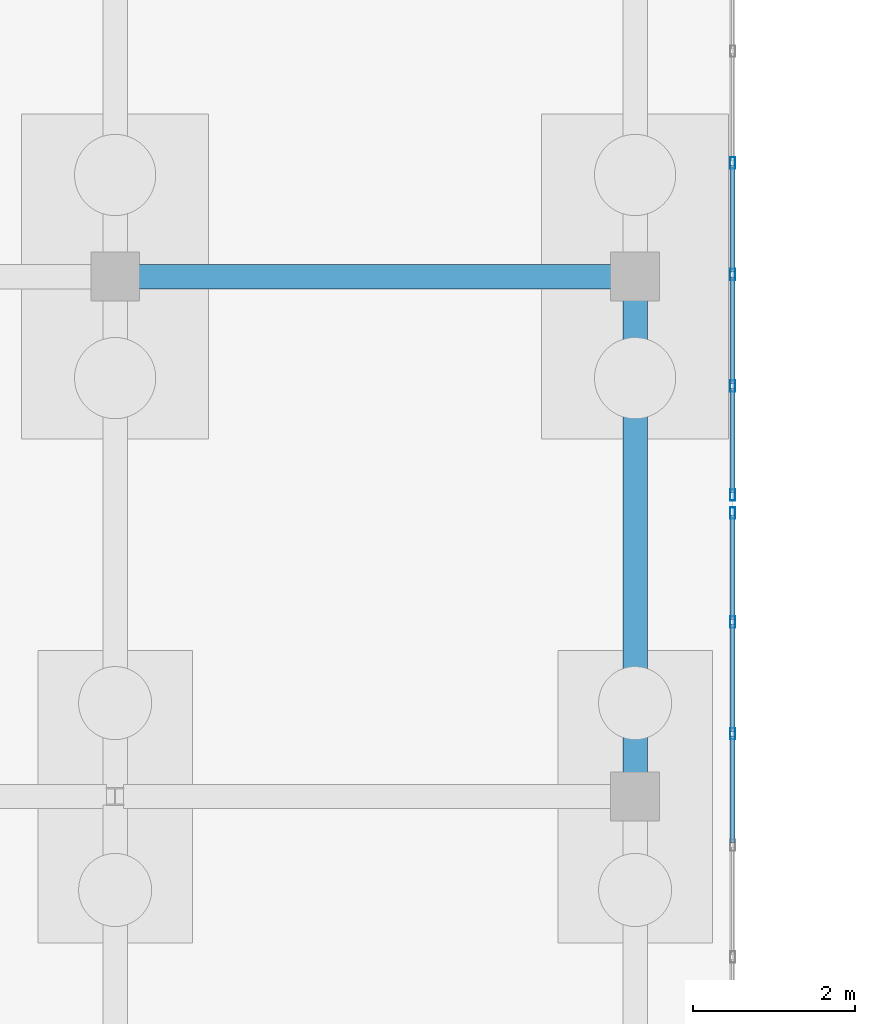
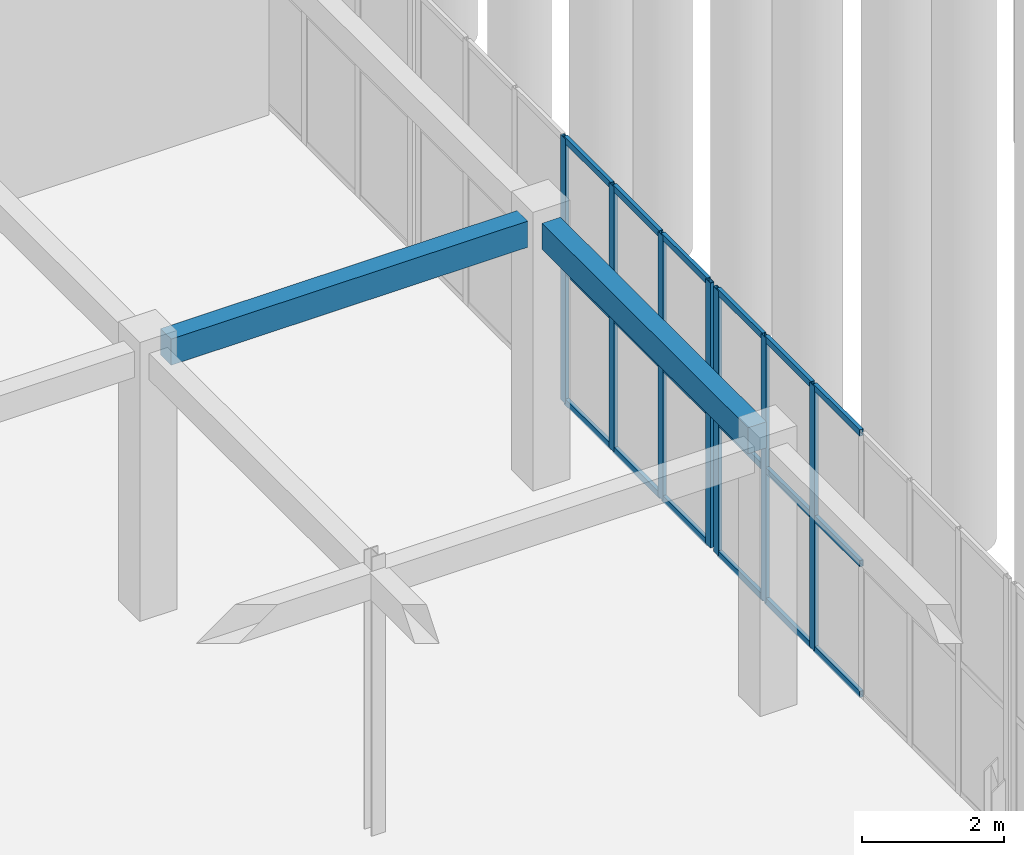
# One storey, part 74 of 192: 25 members, 2 beams, 2 elements without a shape of their own.
"""IFC4 building model written with IfcOpenShell, lengths in metres."""

from ifc_helpers import new_model, si_unit, direction, frame, origin, origin_2d, place, context, subcontext, project, spatial, rectangle, hollow_rectangle, extrude, material, layer, layer_set, material_profile, profile_set, type_object, element, aggregate, save


model = new_model("IFC4")

# Units and contexts
model_context = context("Model", 3, precision=1e-05, world=origin(), true_north=direction((0.0, 1.0)))
body_context = subcontext(model_context, "Body", "Model", "MODEL_VIEW")
ifc_project = project(units=[si_unit("LENGTHUNIT", "METRE"), si_unit("AREAUNIT", "SQUARE_METRE"), si_unit("VOLUMEUNIT", "CUBIC_METRE"), si_unit("PLANEANGLEUNIT", "RADIAN"), si_unit("MASSUNIT", "GRAM", prefix="KILO")], contexts=[model_context])

# Site, building, storey
site_placement = place(None, origin())
site = spatial("IfcSite", under=ifc_project, at=site_placement, CompositionType="ELEMENT")
building_placement = place(site_placement, origin())
building = spatial("IfcBuilding", under=site, at=building_placement, Name="Trelvath General Hospital", CompositionType="ELEMENT")
storey_placement = place(building_placement, origin())
storey = spatial("IfcBuildingStorey", under=building, at=storey_placement, Name="L00", CompositionType="ELEMENT", Elevation=0.0)

# Beams
ifc_material_1 = material(Name="Concrete C35/45", Category="concrete")
ifc_material_profile_1 = material_profile(ifc_material_1, rectangle(XDim=0.300048828125, YDim=0.449951171875, at=origin_2d()), Name="RCB300x450")
ifc_profile_set_1 = profile_set([ifc_material_profile_1], Name="Concrete C35/45")
beam_type = type_object("IfcBeamType", Name="Beam RC300x450", PredefinedType="BEAM", material=ifc_profile_set_1)
beam_1_placement = place(storey_placement, frame((113.89599609375, 44.800048828125, 4.3349609375), z_axis=(1.0, 0.0, 0.0), x_axis=(0.0, 1.0, 0.0)))
element("IfcBeam", 1, at=beam_1_placement, inside=storey, type_object=beam_type, Name="Cube Interior Ring Beam CUBE-E-T0 L00", PredefinedType="BEAM", context=body_context, shape_type="SweptSolid", body=[
    extrude(rectangle(XDim=0.300048828125, YDim=0.449951171875, at=origin_2d()), origin(), (0.0, 0.0, 1.0), 5.80810546875),
])
beam_2_placement = place(storey_placement, frame((120.0, 38.696044921875, 4.3349609375), z_axis=(0.0, 1.0, 0.0), x_axis=(-1.0, 0.0, 0.0)))
element("IfcBeam", 2, at=beam_2_placement, inside=storey, type_object=beam_type, Name="Cube Interior Ring Beam CUBE-E-T0 L00", PredefinedType="BEAM", context=body_context, shape_type="SweptSolid", body=[
    extrude(rectangle(XDim=0.300048828125, YDim=0.449951171875, at=origin_2d()), origin(), (0.0, 0.0, 1.0), 5.807861328125),
])

# Curtain wall, members
ifc_material_2 = material(Name="Anodised aluminium and low-E glass", Category="aluminium")
ifc_layer = layer(ifc_material_2, 0.139892578125)
ifc_layer_set = layer_set([ifc_layer], Name="Anodised aluminium and low-E glass")
curtain_wall_type = type_object("IfcCurtainWallType", Name="CW CrystalCube 824 456 14", PredefinedType="USERDEFINED", material=ifc_layer_set)
curtain_wall_1_placement = place(storey_placement, origin())
curtain_wall_1 = element("IfcCurtainWall", 3, at=curtain_wall_1_placement, inside=storey, type_object=curtain_wall_type, Name="Crystal Cube Curtain Wall CUBE-E-T0 E2 L00", ObjectType="Unitised Glazed Curtain Wall", PredefinedType="USERDEFINED")
ifc_material_3 = material(Name="Anodised aluminium", Category="aluminium")
ifc_material_profile_2 = material_profile(ifc_material_3, hollow_rectangle(XDim=0.06005859375, YDim=0.139892578125, WallThickness=0.00390625, at=origin_2d()), Name="RHS60x140x4")
ifc_profile_set_2 = profile_set([ifc_material_profile_2], Name="Anodised aluminium")
member_type_1 = type_object("IfcMemberType", Name="CurtainMullion 60x140", PredefinedType="MULLION", material=ifc_profile_set_2)
member_1_placement = place(storey_placement, frame((121.199951171875, 41.889892578125, 0.0), z_axis=(0.0, 0.0, 1.0), x_axis=(1.0, 0.0, 0.0)))
member_1 = element("IfcMember", 4, at=member_1_placement, type_object=member_type_1, Name="CW-118 mullion 1", PredefinedType="MULLION", context=body_context, shape_type="SweptSolid", body=[
    extrude(hollow_rectangle(XDim=0.06005859375, YDim=0.139892578125, WallThickness=0.00390625, at=origin_2d()), origin(), (0.0, 0.0, 1.0), 4.56005859375),
])
member_2_placement = place(storey_placement, frame((121.199951171875, 40.546630859375, 0.0), z_axis=(0.0, 0.0, 1.0), x_axis=(1.0, 0.0, 0.0)))
member_2 = element("IfcMember", 5, at=member_2_placement, type_object=member_type_1, Name="CW-118 mullion 2", PredefinedType="MULLION", context=body_context, shape_type="SweptSolid", body=[
    extrude(hollow_rectangle(XDim=0.06005859375, YDim=0.139892578125, WallThickness=0.00390625, at=origin_2d()), origin(), (0.0, 0.0, 1.0), 4.56005859375),
])
member_3_placement = place(storey_placement, frame((121.199951171875, 39.17333984375, 0.0), z_axis=(0.0, 0.0, 1.0), x_axis=(1.0, 0.0, 0.0)))
member_3 = element("IfcMember", 6, at=member_3_placement, type_object=member_type_1, Name="CW-118 mullion 3", PredefinedType="MULLION", context=body_context, shape_type="SweptSolid", body=[
    extrude(hollow_rectangle(XDim=0.06005859375, YDim=0.139892578125, WallThickness=0.00390625, at=origin_2d()), origin(), (0.0, 0.0, 1.0), 4.56005859375),
])

curtain_wall_2_placement = place(storey_placement, origin())
curtain_wall_2 = element("IfcCurtainWall", 7, at=curtain_wall_2_placement, inside=storey, type_object=curtain_wall_type, Name="Crystal Cube Curtain Wall CUBE-E-T0 E3 L00", ObjectType="Unitised Glazed Curtain Wall", PredefinedType="USERDEFINED")
member_4_placement = place(storey_placement, frame((121.199951171875, 46.199951171875, 0.0), z_axis=(0.0, 0.0, 1.0), x_axis=(1.0, 0.0, 0.0)))
member_4 = element("IfcMember", 8, at=member_4_placement, type_object=member_type_1, Name="CW-120 mullion 4", PredefinedType="MULLION", context=body_context, shape_type="SweptSolid", body=[
    extrude(hollow_rectangle(XDim=0.06005859375, YDim=0.139892578125, WallThickness=0.00390625, at=origin_2d()), origin(), (0.0, 0.0, 1.0), 4.56005859375),
])
member_5_placement = place(storey_placement, frame((121.199951171875, 44.82666015625, 0.0), z_axis=(0.0, 0.0, 1.0), x_axis=(1.0, 0.0, 0.0)))
member_5 = element("IfcMember", 9, at=member_5_placement, type_object=member_type_1, Name="CW-120 mullion 5", PredefinedType="MULLION", context=body_context, shape_type="SweptSolid", body=[
    extrude(hollow_rectangle(XDim=0.06005859375, YDim=0.139892578125, WallThickness=0.00390625, at=origin_2d()), origin(), (0.0, 0.0, 1.0), 4.56005859375),
])
member_6_placement = place(storey_placement, frame((121.199951171875, 43.453369140625, 0.0), z_axis=(0.0, 0.0, 1.0), x_axis=(1.0, 0.0, 0.0)))
member_6 = element("IfcMember", 10, at=member_6_placement, type_object=member_type_1, Name="CW-120 mullion 6", PredefinedType="MULLION", context=body_context, shape_type="SweptSolid", body=[
    extrude(hollow_rectangle(XDim=0.06005859375, YDim=0.139892578125, WallThickness=0.00390625, at=origin_2d()), origin(), (0.0, 0.0, 1.0), 4.56005859375),
])
member_7_placement = place(storey_placement, frame((121.199951171875, 42.110107421875, 0.0), z_axis=(0.0, 0.0, 1.0), x_axis=(1.0, 0.0, 0.0)))
member_7 = element("IfcMember", 11, at=member_7_placement, type_object=member_type_1, Name="CW-120 mullion 7", PredefinedType="MULLION", context=body_context, shape_type="SweptSolid", body=[
    extrude(hollow_rectangle(XDim=0.06005859375, YDim=0.139892578125, WallThickness=0.00390625, at=origin_2d()), origin(), (0.0, 0.0, 1.0), 4.56005859375),
])

# Member
ifc_material_4 = material(Name="Anodised aluminium", Category="aluminium")
ifc_material_profile_3 = material_profile(ifc_material_4, hollow_rectangle(XDim=0.06005859375, YDim=0.110107421875, WallThickness=0.00390625, at=origin_2d()), Name="RHS60x110x4")
ifc_profile_set_3 = profile_set([ifc_material_profile_3], Name="Anodised aluminium")
member_type_2 = type_object("IfcMemberType", Name="CurtainTransom 60x110", PredefinedType="USERDEFINED", material=ifc_profile_set_3)
member_8_placement = place(storey_placement, frame((121.199951171875, 41.860107421875, 0.030029296875), z_axis=(0.0, -1.0, 0.0), x_axis=(1.0, 0.0, 0.0)))
member_8 = element("IfcMember", 12, at=member_8_placement, type_object=member_type_2, Name="CW-118 transom 1.1", ObjectType="TRANSOM", PredefinedType="USERDEFINED", context=body_context, shape_type="SweptSolid", body=[
    extrude(hollow_rectangle(XDim=0.06005859375, YDim=0.110107421875, WallThickness=0.00390625, at=origin_2d()), origin(), (0.0, 0.0, 1.0), 1.283447265625),
])

member_9_placement = place(storey_placement, frame((121.199951171875, 41.860107421875, 2.280029296875), z_axis=(0.0, -1.0, 0.0), x_axis=(1.0, 0.0, 0.0)))
member_9 = element("IfcMember", 13, at=member_9_placement, type_object=member_type_2, Name="CW-118 transom 1.2", ObjectType="TRANSOM", PredefinedType="USERDEFINED", context=body_context, shape_type="SweptSolid", body=[
    extrude(hollow_rectangle(XDim=0.06005859375, YDim=0.110107421875, WallThickness=0.00390625, at=origin_2d()), origin(), (0.0, 0.0, 1.0), 1.283447265625),
])

member_10_placement = place(storey_placement, frame((121.199951171875, 41.860107421875, 4.530029296875), z_axis=(0.0, -1.0, 0.0), x_axis=(1.0, 0.0, 0.0)))
member_10 = element("IfcMember", 14, at=member_10_placement, type_object=member_type_2, Name="CW-118 transom 1.3", ObjectType="TRANSOM", PredefinedType="USERDEFINED", context=body_context, shape_type="SweptSolid", body=[
    extrude(hollow_rectangle(XDim=0.06005859375, YDim=0.110107421875, WallThickness=0.00390625, at=origin_2d()), origin(), (0.0, 0.0, 1.0), 1.283447265625),
])

member_11_placement = place(storey_placement, frame((121.199951171875, 40.5166015625, 0.030029296875), z_axis=(0.0, -1.0, 0.0), x_axis=(1.0, 0.0, 0.0)))
member_11 = element("IfcMember", 15, at=member_11_placement, type_object=member_type_2, Name="CW-118 transom 2.1", ObjectType="TRANSOM", PredefinedType="USERDEFINED", context=body_context, shape_type="SweptSolid", body=[
    extrude(hollow_rectangle(XDim=0.06005859375, YDim=0.110107421875, WallThickness=0.00390625, at=origin_2d()), origin(), (0.0, 0.0, 1.0), 1.313232421875),
])

member_12_placement = place(storey_placement, frame((121.199951171875, 40.5166015625, 2.280029296875), z_axis=(0.0, -1.0, 0.0), x_axis=(1.0, 0.0, 0.0)))
member_12 = element("IfcMember", 16, at=member_12_placement, type_object=member_type_2, Name="CW-118 transom 2.2", ObjectType="TRANSOM", PredefinedType="USERDEFINED", context=body_context, shape_type="SweptSolid", body=[
    extrude(hollow_rectangle(XDim=0.06005859375, YDim=0.110107421875, WallThickness=0.00390625, at=origin_2d()), origin(), (0.0, 0.0, 1.0), 1.313232421875),
])

member_13_placement = place(storey_placement, frame((121.199951171875, 40.5166015625, 4.530029296875), z_axis=(0.0, -1.0, 0.0), x_axis=(1.0, 0.0, 0.0)))
member_13 = element("IfcMember", 17, at=member_13_placement, type_object=member_type_2, Name="CW-118 transom 2.3", ObjectType="TRANSOM", PredefinedType="USERDEFINED", context=body_context, shape_type="SweptSolid", body=[
    extrude(hollow_rectangle(XDim=0.06005859375, YDim=0.110107421875, WallThickness=0.00390625, at=origin_2d()), origin(), (0.0, 0.0, 1.0), 1.313232421875),
])

member_14_placement = place(storey_placement, frame((121.199951171875, 39.143310546875, 0.030029296875), z_axis=(0.0, -1.0, 0.0), x_axis=(1.0, 0.0, 0.0)))
member_14 = element("IfcMember", 18, at=member_14_placement, type_object=member_type_2, Name="CW-118 transom 3.1", ObjectType="TRANSOM", PredefinedType="USERDEFINED", context=body_context, shape_type="SweptSolid", body=[
    extrude(hollow_rectangle(XDim=0.06005859375, YDim=0.110107421875, WallThickness=0.00390625, at=origin_2d()), origin(), (0.0, 0.0, 1.0), 1.313232421875),
])

member_15_placement = place(storey_placement, frame((121.199951171875, 39.143310546875, 2.280029296875), z_axis=(0.0, -1.0, 0.0), x_axis=(1.0, 0.0, 0.0)))
member_15 = element("IfcMember", 19, at=member_15_placement, type_object=member_type_2, Name="CW-118 transom 3.2", ObjectType="TRANSOM", PredefinedType="USERDEFINED", context=body_context, shape_type="SweptSolid", body=[
    extrude(hollow_rectangle(XDim=0.06005859375, YDim=0.110107421875, WallThickness=0.00390625, at=origin_2d()), origin(), (0.0, 0.0, 1.0), 1.313232421875),
])

member_16_placement = place(storey_placement, frame((121.199951171875, 39.143310546875, 4.530029296875), z_axis=(0.0, -1.0, 0.0), x_axis=(1.0, 0.0, 0.0)))
member_16 = element("IfcMember", 20, at=member_16_placement, type_object=member_type_2, Name="CW-118 transom 3.3", ObjectType="TRANSOM", PredefinedType="USERDEFINED", context=body_context, shape_type="SweptSolid", body=[
    extrude(hollow_rectangle(XDim=0.06005859375, YDim=0.110107421875, WallThickness=0.00390625, at=origin_2d()), origin(), (0.0, 0.0, 1.0), 1.313232421875),
])

aggregate(curtain_wall_1, [member_1, member_2, member_3, member_8, member_9, member_10, member_11, member_12, member_13, member_14, member_15, member_16])

member_17_placement = place(storey_placement, frame((121.199951171875, 46.169921875, 0.030029296875), z_axis=(0.0, -1.0, 0.0), x_axis=(1.0, 0.0, 0.0)))
member_17 = element("IfcMember", 21, at=member_17_placement, type_object=member_type_2, Name="CW-120 transom 4.1", ObjectType="TRANSOM", PredefinedType="USERDEFINED", context=body_context, shape_type="SweptSolid", body=[
    extrude(hollow_rectangle(XDim=0.06005859375, YDim=0.110107421875, WallThickness=0.00390625, at=origin_2d()), origin(), (0.0, 0.0, 1.0), 1.313232421875),
])

member_18_placement = place(storey_placement, frame((121.199951171875, 46.169921875, 2.280029296875), z_axis=(0.0, -1.0, 0.0), x_axis=(1.0, 0.0, 0.0)))
member_18 = element("IfcMember", 22, at=member_18_placement, type_object=member_type_2, Name="CW-120 transom 4.2", ObjectType="TRANSOM", PredefinedType="USERDEFINED", context=body_context, shape_type="SweptSolid", body=[
    extrude(hollow_rectangle(XDim=0.06005859375, YDim=0.110107421875, WallThickness=0.00390625, at=origin_2d()), origin(), (0.0, 0.0, 1.0), 1.313232421875),
])

member_19_placement = place(storey_placement, frame((121.199951171875, 46.169921875, 4.530029296875), z_axis=(0.0, -1.0, 0.0), x_axis=(1.0, 0.0, 0.0)))
member_19 = element("IfcMember", 23, at=member_19_placement, type_object=member_type_2, Name="CW-120 transom 4.3", ObjectType="TRANSOM", PredefinedType="USERDEFINED", context=body_context, shape_type="SweptSolid", body=[
    extrude(hollow_rectangle(XDim=0.06005859375, YDim=0.110107421875, WallThickness=0.00390625, at=origin_2d()), origin(), (0.0, 0.0, 1.0), 1.313232421875),
])

member_20_placement = place(storey_placement, frame((121.199951171875, 44.796630859375, 0.030029296875), z_axis=(0.0, -1.0, 0.0), x_axis=(1.0, 0.0, 0.0)))
member_20 = element("IfcMember", 24, at=member_20_placement, type_object=member_type_2, Name="CW-120 transom 5.1", ObjectType="TRANSOM", PredefinedType="USERDEFINED", context=body_context, shape_type="SweptSolid", body=[
    extrude(hollow_rectangle(XDim=0.06005859375, YDim=0.110107421875, WallThickness=0.00390625, at=origin_2d()), origin(), (0.0, 0.0, 1.0), 1.313232421875),
])

member_21_placement = place(storey_placement, frame((121.199951171875, 44.796630859375, 2.280029296875), z_axis=(0.0, -1.0, 0.0), x_axis=(1.0, 0.0, 0.0)))
member_21 = element("IfcMember", 25, at=member_21_placement, type_object=member_type_2, Name="CW-120 transom 5.2", ObjectType="TRANSOM", PredefinedType="USERDEFINED", context=body_context, shape_type="SweptSolid", body=[
    extrude(hollow_rectangle(XDim=0.06005859375, YDim=0.110107421875, WallThickness=0.00390625, at=origin_2d()), origin(), (0.0, 0.0, 1.0), 1.313232421875),
])

member_22_placement = place(storey_placement, frame((121.199951171875, 44.796630859375, 4.530029296875), z_axis=(0.0, -1.0, 0.0), x_axis=(1.0, 0.0, 0.0)))
member_22 = element("IfcMember", 26, at=member_22_placement, type_object=member_type_2, Name="CW-120 transom 5.3", ObjectType="TRANSOM", PredefinedType="USERDEFINED", context=body_context, shape_type="SweptSolid", body=[
    extrude(hollow_rectangle(XDim=0.06005859375, YDim=0.110107421875, WallThickness=0.00390625, at=origin_2d()), origin(), (0.0, 0.0, 1.0), 1.313232421875),
])

member_23_placement = place(storey_placement, frame((121.199951171875, 43.42333984375, 0.030029296875), z_axis=(0.0, -1.0, 0.0), x_axis=(1.0, 0.0, 0.0)))
member_23 = element("IfcMember", 27, at=member_23_placement, type_object=member_type_2, Name="CW-120 transom 6.1", ObjectType="TRANSOM", PredefinedType="USERDEFINED", context=body_context, shape_type="SweptSolid", body=[
    extrude(hollow_rectangle(XDim=0.06005859375, YDim=0.110107421875, WallThickness=0.00390625, at=origin_2d()), origin(), (0.0, 0.0, 1.0), 1.283447265625),
])

member_24_placement = place(storey_placement, frame((121.199951171875, 43.42333984375, 2.280029296875), z_axis=(0.0, -1.0, 0.0), x_axis=(1.0, 0.0, 0.0)))
member_24 = element("IfcMember", 28, at=member_24_placement, type_object=member_type_2, Name="CW-120 transom 6.2", ObjectType="TRANSOM", PredefinedType="USERDEFINED", context=body_context, shape_type="SweptSolid", body=[
    extrude(hollow_rectangle(XDim=0.06005859375, YDim=0.110107421875, WallThickness=0.00390625, at=origin_2d()), origin(), (0.0, 0.0, 1.0), 1.283447265625),
])

member_25_placement = place(storey_placement, frame((121.199951171875, 43.42333984375, 4.530029296875), z_axis=(0.0, -1.0, 0.0), x_axis=(1.0, 0.0, 0.0)))
member_25 = element("IfcMember", 29, at=member_25_placement, type_object=member_type_2, Name="CW-120 transom 6.3", ObjectType="TRANSOM", PredefinedType="USERDEFINED", context=body_context, shape_type="SweptSolid", body=[
    extrude(hollow_rectangle(XDim=0.06005859375, YDim=0.110107421875, WallThickness=0.00390625, at=origin_2d()), origin(), (0.0, 0.0, 1.0), 1.283447265625),
])

aggregate(curtain_wall_2, [member_4, member_5, member_6, member_7, member_17, member_18, member_19, member_20, member_21, member_22, member_23, member_24, member_25])

save(model, "model.ifc")
